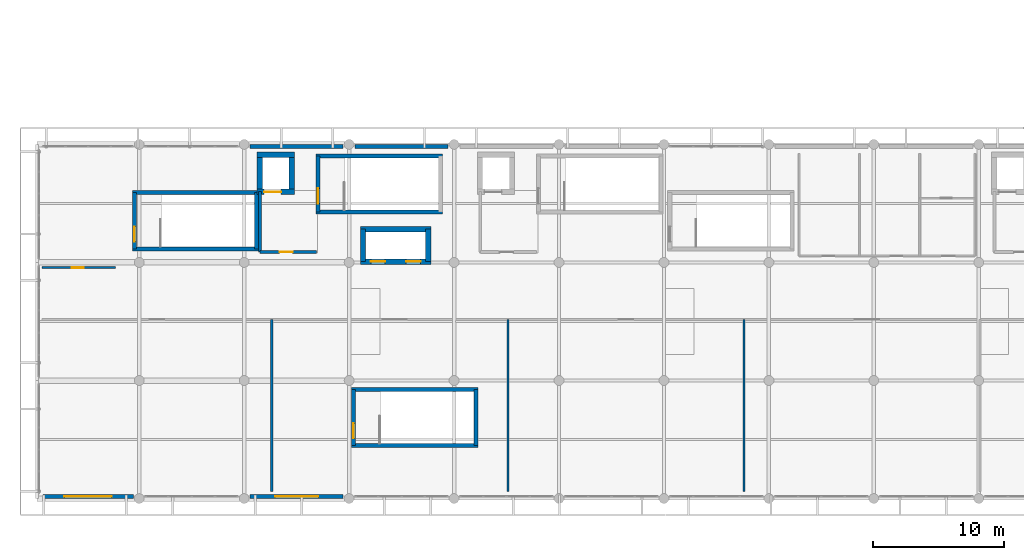
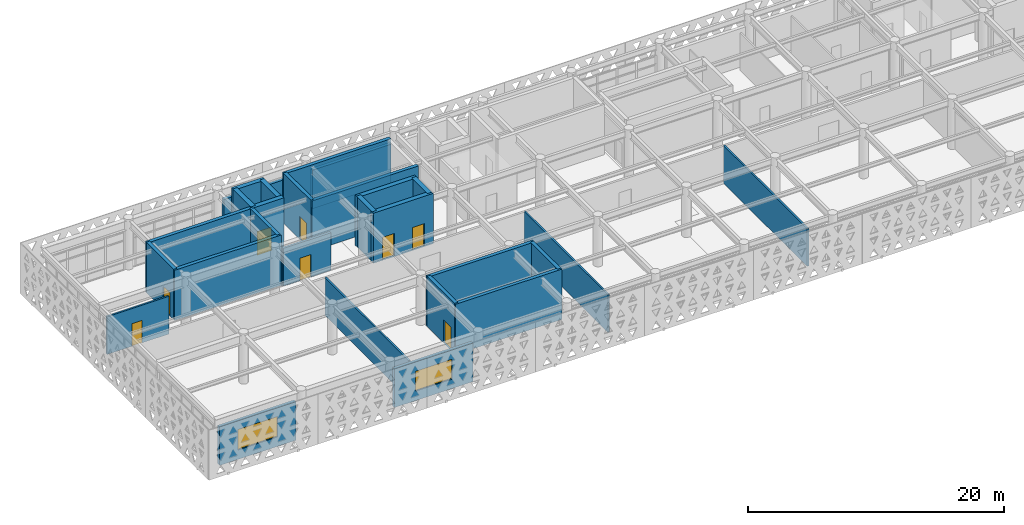
# One storey, part 18 of 26: 29 walls, 8 doors, 2 windows, 10 openings.
"""IFC4 building model written with IfcOpenShell, lengths in metres."""

from ifc_helpers import new_model, si_unit, direction, frame, frame_2d, origin, place, context, subcontext, project, spatial, rectangle, extrude, material, layer, layer_set, type_object, element, fill, save


model = new_model("IFC4")

# Units and contexts
model_context = context("Model", 3, precision=1e-05, world=origin(), true_north=direction((0.0, 1.0)))
body_context = subcontext(model_context, "Body", "Model", "MODEL_VIEW")
ifc_project = project(units=[si_unit("LENGTHUNIT", "METRE"), si_unit("AREAUNIT", "SQUARE_METRE"), si_unit("VOLUMEUNIT", "CUBIC_METRE"), si_unit("PLANEANGLEUNIT", "RADIAN"), si_unit("MASSUNIT", "GRAM", prefix="KILO")], contexts=[model_context])

# Site, building, storey
site_placement = place(None, origin())
site = spatial("IfcSite", under=ifc_project, at=site_placement, CompositionType="ELEMENT")
building_placement = place(site_placement, origin())
building = spatial("IfcBuilding", under=site, at=building_placement, Name="Tlacozan Convention Centre", CompositionType="ELEMENT")
storey_placement = place(building_placement, frame((0.0, 0.0, 21.0)))
storey = spatial("IfcBuildingStorey", under=building, at=storey_placement, Name="L04", CompositionType="ELEMENT", Elevation=21.0)

# Wall, opening, window
ifc_material_1 = material(Name="Volcanic Cantera Stone Masonry", Category="masonry")
ifc_layer_1 = layer(ifc_material_1, 0.300048828125)
ifc_layer_set_1 = layer_set([ifc_layer_1], Name="Volcanic Cantera Stone Masonry")
wall_type_1 = type_object("IfcWallType", Name="Congress Spandrel Backup Wall 300", PredefinedType="SOLIDWALL", material=ifc_layer_set_1)
wall_1_placement = place(storey_placement, frame((0.64990234375, 0.159912109375, 0.0), z_axis=(0.0, 0.0, 1.0), x_axis=(1.0, 0.0, 0.0)))
wall_1 = element("IfcWall", 1, at=wall_1_placement, inside=storey, type_object=wall_type_1, Name="L04 Congress Spandrel Backup Wall 300 138", PredefinedType="SOLIDWALL", context=body_context, shape_type="SweptSolid", body=[
    extrude(rectangle(XDim=6.900146484375, YDim=0.300048828125, at=frame_2d((3.4501953125, 0.0))), origin(), (0.0, 0.0, 1.0), 3.679931640625),
])
opening_1_placement = place(wall_1_placement, frame((1.64990234375, 0.0, 0.89990234375)))
opening_1 = element("IfcOpeningElement", 2, at=opening_1_placement, cuts=wall_1, Name="Opening WN-19", PredefinedType="OPENING", context=body_context, shape_type="SweptSolid", body=[
    extrude(rectangle(XDim=3.60009765625, YDim=1.949951171875, at=frame_2d((1.800048828125, 0.97509765625))), frame((0.0, 0.159912109375, 0.0), z_axis=(0.0, -1.0, 0.0), x_axis=(1.0, 0.0, 0.0)), (0.0, 0.0, 1.0), 0.320068359375),
])
ifc_material_2 = material(Name="Solar Control Double Low-E Argon Glazing", Category="glass")
window_type_1 = type_object("IfcWindowType", Name="Boardroom Panorama Window 3600x1950", PartitioningType="SINGLE_PANEL", PredefinedType="WINDOW", material=ifc_material_2)
window_1_placement = place(opening_1_placement, origin())
window_1 = element("IfcWindow", 3, at=window_1_placement, inside=storey, type_object=window_type_1, Name="L04 Boardroom Panorama Window 3600x1950 51", OverallHeight=1.949951171875, OverallWidth=3.60009765625, PartitioningType="SINGLE_PANEL", PredefinedType="WINDOW", context=body_context, shape_type="SweptSolid", body=[
    extrude(rectangle(XDim=3.60009765625, YDim=1.949951171875, at=frame_2d((1.800048828125, 0.97509765625))), frame((0.0, 0.030029296875, 0.0), z_axis=(0.0, -1.0, 0.0), x_axis=(1.0, 0.0, 0.0)), (0.0, 0.0, 1.0), 0.06005859375),
])
fill(opening_1, window_1)

wall_2_placement = place(storey_placement, frame((16.449951171875, 0.159912109375, 0.0), z_axis=(0.0, 0.0, 1.0), x_axis=(1.0, 0.0, 0.0)))
wall_2 = element("IfcWall", 4, at=wall_2_placement, inside=storey, type_object=wall_type_1, Name="L04 Congress Spandrel Backup Wall 300 139", PredefinedType="SOLIDWALL", context=body_context, shape_type="SweptSolid", body=[
    extrude(rectangle(XDim=7.10009765625, YDim=0.300048828125, at=frame_2d((3.550048828125, 0.0))), origin(), (0.0, 0.0, 1.0), 3.679931640625),
])
opening_2_placement = place(wall_2_placement, frame((1.89990234375, 0.0, 0.89990234375)))
opening_2 = element("IfcOpeningElement", 5, at=opening_2_placement, cuts=wall_2, Name="Opening WN-20", PredefinedType="OPENING", context=body_context, shape_type="SweptSolid", body=[
    extrude(rectangle(XDim=3.300048828125, YDim=1.89990234375, at=frame_2d((1.64990234375, 0.949951171875))), frame((0.0, 0.159912109375, 0.0), z_axis=(0.0, -1.0, 0.0), x_axis=(1.0, 0.0, 0.0)), (0.0, 0.0, 1.0), 0.320068359375),
])
window_type_2 = type_object("IfcWindowType", Name="Diplomatic Salon Window 3300x1900", PartitioningType="SINGLE_PANEL", PredefinedType="WINDOW", material=ifc_material_2)
window_2_placement = place(opening_2_placement, origin())
window_2 = element("IfcWindow", 6, at=window_2_placement, inside=storey, type_object=window_type_2, Name="L04 Diplomatic Salon Window 3300x1900 52", OverallHeight=1.89990234375, OverallWidth=3.300048828125, PartitioningType="SINGLE_PANEL", PredefinedType="WINDOW", context=body_context, shape_type="SweptSolid", body=[
    extrude(rectangle(XDim=3.300048828125, YDim=1.89990234375, at=frame_2d((1.64990234375, 0.949951171875))), frame((0.0, 0.030029296875, 0.0), z_axis=(0.0, -1.0, 0.0), x_axis=(1.0, 0.0, 0.0)), (0.0, 0.0, 1.0), 0.06005859375),
])
fill(opening_2, window_2)

# Walls
for number, where, z_axis, x_axis, name in (
    (7, (16.449951171875, 26.840087890625, 0.0), (0.0, 0.0, 1.0), (1.0, 0.0, 0.0), "L04 Congress Spandrel Backup Wall 300 140"),
    (8, (24.449951171875, 26.840087890625, 0.0), (0.0, 0.0, 1.0), (1.0, 0.0, 0.0), "L04 Congress Spandrel Backup Wall 300 141"),
):
    element("IfcWall", number, at=place(storey_placement, frame(where, z_axis=z_axis, x_axis=x_axis)), inside=storey, type_object=wall_type_1, Name=name, PredefinedType="SOLIDWALL", context=body_context, shape_type="SweptSolid", body=[
        extrude(rectangle(XDim=7.10009765625, YDim=0.300048828125, at=frame_2d((3.550048828125, 0.0))), origin(), (0.0, 0.0, 1.0), 3.679931640625),
    ])

# Wall, opening, door
ifc_material_3 = material(Name="Concrete C40/50", Category="concrete")
ifc_layer_2 = layer(ifc_material_3, 0.409912109375)
ifc_layer_set_2 = layer_set([ifc_layer_2], Name="Concrete C40/50")
wall_type_2 = type_object("IfcWallType", Name="Core Shear Wall RC 410", PredefinedType="SHEAR", material=ifc_layer_set_2)
wall_3_placement = place(storey_placement, frame((16.97509765625, 23.3798828125, 0.0), z_axis=(0.0, 0.0, 1.0), x_axis=(1.0, 0.0, 0.0)))
wall_3 = element("IfcWall", 9, at=wall_3_placement, inside=storey, type_object=wall_type_2, Name="L04 Core Shear Wall RC 410 77", PredefinedType="SHEAR", context=body_context, shape_type="SweptSolid", body=[
    extrude(rectangle(XDim=2.849853515625, YDim=0.409912109375, at=frame_2d((1.4248046875, 0.0))), origin(), (0.0, 0.0, 1.0), 4.800048828125),
])
opening_3_placement = place(wall_3_placement, frame((0.550048828125, 0.0, 0.0)))
opening_3 = element("IfcOpeningElement", 10, at=opening_3_placement, cuts=wall_3, Name="Opening LD-02", PredefinedType="OPENING", context=body_context, shape_type="SweptSolid", body=[
    extrude(rectangle(XDim=1.300048828125, YDim=2.25, at=frame_2d((0.64990234375, 1.125))), frame((0.0, 0.21484375, 0.0), z_axis=(0.0, -1.0, 0.0), x_axis=(1.0, 0.0, 0.0)), (0.0, 0.0, 1.0), 0.429931640625),
])
ifc_material_4 = material(Name="Brushed Stainless Steel Sliding Landing Door", Category="steel")
door_type_1 = type_object("IfcDoorType", Name="Firefighting Lift Sliding Door 1300x2250", OperationType="DOUBLE_DOOR_SLIDING", PredefinedType="DOOR", material=ifc_material_4)
door_1_placement = place(opening_3_placement, origin())
door_1 = element("IfcDoor", 11, at=door_1_placement, inside=storey, type_object=door_type_1, Name="L04 Firefighting Lift FL-01 Landing Door", OperationType="DOUBLE_DOOR_SLIDING", OverallHeight=2.25, OverallWidth=1.300048828125, PredefinedType="DOOR", context=body_context, shape_type="SweptSolid", body=[
    extrude(rectangle(XDim=1.300048828125, YDim=2.25, at=frame_2d((0.64990234375, 1.125))), frame((0.0, 0.02490234375, 0.0), z_axis=(0.0, -1.0, 0.0), x_axis=(1.0, 0.0, 0.0)), (0.0, 0.0, 1.0), 0.050048828125),
])
fill(opening_3, door_1)

# Walls
wall_4_placement = place(storey_placement, frame((16.97509765625, 26.219970703125, 0.0), z_axis=(0.0, 0.0, 1.0), x_axis=(1.0, 0.0, 0.0)))
element("IfcWall", 12, at=wall_4_placement, inside=storey, type_object=wall_type_2, Name="L04 Core Shear Wall RC 410 78", PredefinedType="SHEAR", context=body_context, shape_type="SweptSolid", body=[
    extrude(rectangle(XDim=2.849853515625, YDim=0.409912109375, at=frame_2d((1.4248046875, 0.0))), origin(), (0.0, 0.0, 1.0), 4.800048828125),
])
for number, where, z_axis, x_axis, name in (
    (13, (17.179931640625, 23.3798828125, 0.0), (0.0, 0.0, 1.0), (0.0, 1.0, 0.0), "L04 Core Shear Wall RC 410 79"),
    (14, (19.6201171875, 23.3798828125, 0.0), (0.0, 0.0, 1.0), (0.0, 1.0, 0.0), "L04 Core Shear Wall RC 410 80"),
):
    element("IfcWall", number, at=place(storey_placement, frame(where, z_axis=z_axis, x_axis=x_axis)), inside=storey, type_object=wall_type_2, Name=name, PredefinedType="SHEAR", context=body_context, shape_type="SweptSolid", body=[
        extrude(rectangle(XDim=2.840087890625, YDim=0.409912109375, at=frame_2d((1.419921875, 0.0))), origin(), (0.0, 0.0, 1.0), 4.800048828125),
    ])

# Wall, openings, doors
wall_5_placement = place(storey_placement, frame((24.85498046875, 18.06005859375, 0.0), z_axis=(0.0, 0.0, 1.0), x_axis=(1.0, 0.0, 0.0)))
wall_5 = element("IfcWall", 15, at=wall_5_placement, inside=storey, type_object=wall_type_2, Name="L04 Core Shear Wall RC 410 81", PredefinedType="SHEAR", context=body_context, shape_type="SweptSolid", body=[
    extrude(rectangle(XDim=5.39013671875, YDim=0.409912109375, at=frame_2d((2.695068359375, 0.0))), origin(), (0.0, 0.0, 1.0), 4.800048828125),
])
opening_4_placement = place(wall_5_placement, frame((0.794921875, 0.0, 0.0)))
opening_4 = element("IfcOpeningElement", 16, at=opening_4_placement, cuts=wall_5, Name="Opening LD-01", PredefinedType="OPENING", context=body_context, shape_type="SweptSolid", body=[
    extrude(rectangle(XDim=1.10009765625, YDim=2.199951171875, at=frame_2d((0.550048828125, 1.10009765625))), frame((0.0, 0.21484375, 0.0), z_axis=(0.0, -1.0, 0.0), x_axis=(1.0, 0.0, 0.0)), (0.0, 0.0, 1.0), 0.429931640625),
])
opening_5_placement = place(wall_5_placement, frame((3.4951171875, 0.0, 0.0)))
opening_5 = element("IfcOpeningElement", 17, at=opening_5_placement, cuts=wall_5, Name="Opening LD-01", PredefinedType="OPENING", context=body_context, shape_type="SweptSolid", body=[
    extrude(rectangle(XDim=1.10009765625, YDim=2.199951171875, at=frame_2d((0.550048828125, 1.10009765625))), frame((0.0, 0.21484375, 0.0), z_axis=(0.0, -1.0, 0.0), x_axis=(1.0, 0.0, 0.0)), (0.0, 0.0, 1.0), 0.429931640625),
])
door_type_2 = type_object("IfcDoorType", Name="Lift Sliding Landing Door 1100x2200", OperationType="DOUBLE_DOOR_SLIDING", PredefinedType="DOOR", material=ifc_material_4)
door_2_placement = place(opening_4_placement, origin())
door_2 = element("IfcDoor", 18, at=door_2_placement, inside=storey, type_object=door_type_2, Name="L04 Lift PL-01 Landing Door", OperationType="DOUBLE_DOOR_SLIDING", OverallHeight=2.199951171875, OverallWidth=1.10009765625, PredefinedType="DOOR", context=body_context, shape_type="SweptSolid", body=[
    extrude(rectangle(XDim=1.10009765625, YDim=2.199951171875, at=frame_2d((0.550048828125, 1.10009765625))), frame((0.0, 0.02490234375, 0.0), z_axis=(0.0, -1.0, 0.0), x_axis=(1.0, 0.0, 0.0)), (0.0, 0.0, 1.0), 0.050048828125),
])
fill(opening_4, door_2)
door_3_placement = place(opening_5_placement, origin())
door_3 = element("IfcDoor", 19, at=door_3_placement, inside=storey, type_object=door_type_2, Name="L04 Lift PL-02 Landing Door", OperationType="DOUBLE_DOOR_SLIDING", OverallHeight=2.199951171875, OverallWidth=1.10009765625, PredefinedType="DOOR", context=body_context, shape_type="SweptSolid", body=[
    extrude(rectangle(XDim=1.10009765625, YDim=2.199951171875, at=frame_2d((0.550048828125, 1.10009765625))), frame((0.0, 0.02490234375, 0.0), z_axis=(0.0, -1.0, 0.0), x_axis=(1.0, 0.0, 0.0)), (0.0, 0.0, 1.0), 0.050048828125),
])
fill(opening_5, door_3)

# Walls
wall_6_placement = place(storey_placement, frame((24.85498046875, 20.5400390625, 0.0), z_axis=(0.0, 0.0, 1.0), x_axis=(1.0, 0.0, 0.0)))
element("IfcWall", 20, at=wall_6_placement, inside=storey, type_object=wall_type_2, Name="L04 Core Shear Wall RC 410 82", PredefinedType="SHEAR", context=body_context, shape_type="SweptSolid", body=[
    extrude(rectangle(XDim=5.39013671875, YDim=0.409912109375, at=frame_2d((2.695068359375, 0.0))), origin(), (0.0, 0.0, 1.0), 4.800048828125),
])
for number, where, z_axis, x_axis, name in (
    (21, (25.06005859375, 18.06005859375, 0.0), (0.0, 0.0, 1.0), (0.0, 1.0, 0.0), "L04 Core Shear Wall RC 410 83"),
    (22, (30.0400390625, 18.06005859375, 0.0), (0.0, 0.0, 1.0), (0.0, 1.0, 0.0), "L04 Core Shear Wall RC 410 84"),
):
    element("IfcWall", number, at=place(storey_placement, frame(where, z_axis=z_axis, x_axis=x_axis)), inside=storey, type_object=wall_type_2, Name=name, PredefinedType="SHEAR", context=body_context, shape_type="SweptSolid", body=[
        extrude(rectangle(XDim=2.47998046875, YDim=0.409912109375, at=frame_2d((1.239990234375, 0.0))), origin(), (0.0, 0.0, 1.0), 4.800048828125),
    ])

# Wall, opening, door
ifc_material_5 = material(Name="Fire-Rated Gypsum Stud Partition Assembly")
ifc_layer_3 = layer(ifc_material_5, 0.2099609375)
ifc_layer_set_3 = layer_set([ifc_layer_3], Name="Fire-Rated Gypsum Stud Partition Assembly")
wall_type_3 = type_object("IfcWallType", Name="Firefighting Lobby Rated Wall 210", PredefinedType="PARTITIONING", material=ifc_layer_set_3)
wall_7_placement = place(storey_placement, frame((17.199951171875, 18.800048828125, 0.0), z_axis=(0.0, 0.0, 1.0), x_axis=(1.0, 0.0, 0.0)))
wall_7 = element("IfcWall", 23, at=wall_7_placement, inside=storey, type_object=wall_type_3, Name="L04 Firefighting Lobby Rated Wall 210 75", PredefinedType="PARTITIONING", context=body_context, shape_type="SweptSolid", body=[
    extrude(rectangle(XDim=4.300048828125, YDim=0.2099609375, at=frame_2d((2.14990234375, 0.0))), origin(), (0.0, 0.0, 1.0), 3.60009765625),
])
opening_6_placement = place(wall_7_placement, frame((1.5, 0.0, 0.0)))
opening_6 = element("IfcOpeningElement", 24, at=opening_6_placement, cuts=wall_7, Name="Opening FD-01", PredefinedType="OPENING", context=body_context, shape_type="SweptSolid", body=[
    extrude(rectangle(XDim=1.0, YDim=2.14990234375, at=frame_2d((0.5, 1.074951171875))), frame((0.0, 0.114990234375, 0.0), z_axis=(0.0, -1.0, 0.0), x_axis=(1.0, 0.0, 0.0)), (0.0, 0.0, 1.0), 0.22998046875),
])
ifc_material_6 = material(Name="Fire-Rated Insulated Steel Door Leaf", Category="steel")
door_type_3 = type_object("IfcDoorType", Name="Fire Door Single 1000x2150 FD90", OperationType="NOTDEFINED", PredefinedType="DOOR", material=ifc_material_6)
door_4_placement = place(opening_6_placement, origin())
door_4 = element("IfcDoor", 25, at=door_4_placement, inside=storey, type_object=door_type_3, Name="L04 CORE-1 Firefighting Lobby Entry Door", OperationType="SINGLE_SWING_RIGHT", OverallHeight=2.14990234375, OverallWidth=1.0, PredefinedType="DOOR", context=body_context, shape_type="SweptSolid", body=[
    extrude(rectangle(XDim=1.0, YDim=2.14990234375, at=frame_2d((0.5, 1.074951171875))), frame((0.0, 0.02490234375, 0.0), z_axis=(0.0, -1.0, 0.0), x_axis=(1.0, 0.0, 0.0)), (0.0, 0.0, 1.0), 0.050048828125),
])
fill(opening_6, door_4)

# Walls
wall_8_placement = place(storey_placement, frame((17.199951171875, 18.800048828125, 0.0), z_axis=(0.0, 0.0, 1.0), x_axis=(0.0, 1.0, 0.0)))
element("IfcWall", 26, at=wall_8_placement, inside=storey, type_object=wall_type_3, Name="L04 Firefighting Lobby Rated Wall 210 76", PredefinedType="PARTITIONING", context=body_context, shape_type="SweptSolid", body=[
    extrude(rectangle(XDim=4.599853515625, YDim=0.2099609375, at=frame_2d((2.2998046875, 0.0))), origin(), (0.0, 0.0, 1.0), 3.60009765625),
])
ifc_material_7 = material(Name="Acoustic Double-Stud Partition Assembly")
ifc_layer_4 = layer(ifc_material_7, 0.159912109375)
ifc_layer_set_4 = layer_set([ifc_layer_4], Name="Acoustic Double-Stud Partition Assembly")
wall_type_4 = type_object("IfcWallType", Name="Meeting Acoustic Partition 160", PredefinedType="PARTITIONING", material=ifc_layer_set_4)
for number, where, z_axis, x_axis, name in (
    (27, (18.10009765625, 0.550048828125, 0.0), (0.0, 0.0, 1.0), (0.0, 1.0, 0.0), "L04 Meeting Acoustic Partition 160 611"),
    (28, (36.10009765625, 0.550048828125, 0.0), (0.0, 0.0, 1.0), (0.0, 1.0, 0.0), "L04 Meeting Acoustic Partition 160 612"),
    (29, (54.10009765625, 0.550048828125, 0.0), (0.0, 0.0, 1.0), (0.0, 1.0, 0.0), "L04 Meeting Acoustic Partition 160 613"),
):
    element("IfcWall", number, at=place(storey_placement, frame(where, z_axis=z_axis, x_axis=x_axis)), inside=storey, type_object=wall_type_4, Name=name, PredefinedType="PARTITIONING", context=body_context, shape_type="SweptSolid", body=[
        extrude(rectangle(XDim=13.099853515625, YDim=0.159912109375, at=frame_2d((6.5498046875, 0.0))), origin(), (0.0, 0.0, 1.0), 3.60009765625),
    ])

# Wall, opening, door
wall_9_placement = place(storey_placement, frame((0.60009765625, 17.60009765625, 0.0), z_axis=(0.0, 0.0, 1.0), x_axis=(1.0, 0.0, 0.0)))
wall_9 = element("IfcWall", 30, at=wall_9_placement, inside=storey, type_object=wall_type_4, Name="L04 Meeting Acoustic Partition 160 615", PredefinedType="PARTITIONING", context=body_context, shape_type="SweptSolid", body=[
    extrude(rectangle(XDim=5.599853515625, YDim=0.159912109375, at=frame_2d((2.7998046875, 0.0))), origin(), (0.0, 0.0, 1.0), 3.60009765625),
])
opening_7_placement = place(wall_9_placement, frame((2.25, 0.0, 0.0)))
opening_7 = element("IfcOpeningElement", 31, at=opening_7_placement, cuts=wall_9, Name="Opening ID-14", PredefinedType="OPENING", context=body_context, shape_type="SweptSolid", body=[
    extrude(rectangle(XDim=0.919921875, YDim=2.14990234375, at=frame_2d((0.4599609375, 1.074951171875))), frame((0.0, 0.08984375, 0.0), z_axis=(0.0, -1.0, 0.0), x_axis=(1.0, 0.0, 0.0)), (0.0, 0.0, 1.0), 0.179931640625),
])
ifc_material_8 = material(Name="Acoustic Solid-Core Oak Veneer Door")
door_type_4 = type_object("IfcDoorType", Name="Interpretation Booth Door 920x2150", OperationType="NOTDEFINED", PredefinedType="DOOR", material=ifc_material_8)
door_5_placement = place(opening_7_placement, origin())
door_5 = element("IfcDoor", 32, at=door_5_placement, inside=storey, type_object=door_type_4, Name="L04 Interpretation Booth Door 920x2150 209", OperationType="SINGLE_SWING_RIGHT", OverallHeight=2.14990234375, OverallWidth=0.919921875, PredefinedType="DOOR", context=body_context, shape_type="SweptSolid", body=[
    extrude(rectangle(XDim=0.919921875, YDim=2.14990234375, at=frame_2d((0.4599609375, 1.074951171875))), frame((0.0, 0.02490234375, 0.0), z_axis=(0.0, -1.0, 0.0), x_axis=(1.0, 0.0, 0.0)), (0.0, 0.0, 1.0), 0.050048828125),
])
fill(opening_7, door_5)

# Walls
ifc_layer_5 = layer(ifc_material_3, 0.31005859375)
ifc_layer_set_5 = layer_set([ifc_layer_5], Name="Concrete C40/50")
wall_type_5 = type_object("IfcWallType", Name="Stair Shaft Shear Wall RC 310", PredefinedType="SHEAR", material=ifc_layer_set_5)
for number, where, z_axis, x_axis, name in (
    (33, (21.485107421875, 21.840087890625, 0.0), (0.0, 0.0, 1.0), (1.0, 0.0, 0.0), "L04 Stair Shaft Shear Wall RC 310 71"),
    (34, (21.485107421875, 26.1201171875, 0.0), (0.0, 0.0, 1.0), (1.0, 0.0, 0.0), "L04 Stair Shaft Shear Wall RC 310 72"),
):
    element("IfcWall", number, at=place(storey_placement, frame(where, z_axis=z_axis, x_axis=x_axis)), inside=storey, type_object=wall_type_5, Name=name, PredefinedType="SHEAR", context=body_context, shape_type="SweptSolid", body=[
        extrude(rectangle(XDim=9.6298828125, YDim=0.31005859375, at=frame_2d((4.81494140625, 0.0))), origin(), (0.0, 0.0, 1.0), 4.800048828125),
    ])

# Wall, opening, door
wall_10_placement = place(storey_placement, frame((21.639892578125, 21.840087890625, 0.0), z_axis=(0.0, 0.0, 1.0), x_axis=(0.0, 1.0, 0.0)))
wall_10 = element("IfcWall", 35, at=wall_10_placement, inside=storey, type_object=wall_type_5, Name="L04 Stair Shaft Shear Wall RC 310 73", PredefinedType="SHEAR", context=body_context, shape_type="SweptSolid", body=[
    extrude(rectangle(XDim=4.280029296875, YDim=0.31005859375, at=frame_2d((2.14013671875, 0.0))), origin(), (0.0, 0.0, 1.0), 4.800048828125),
])
opening_8_placement = place(wall_10_placement, frame((0.64990234375, 0.0, 0.0)))
opening_8 = element("IfcOpeningElement", 36, at=opening_8_placement, cuts=wall_10, Name="Opening FD-02", PredefinedType="OPENING", context=body_context, shape_type="SweptSolid", body=[
    extrude(rectangle(XDim=1.14990234375, YDim=2.199951171875, at=frame_2d((0.574951171875, 1.10009765625))), frame((0.0, 0.1650390625, 0.0), z_axis=(0.0, -1.0, 0.0), x_axis=(1.0, 0.0, 0.0)), (0.0, 0.0, 1.0), 0.330078125),
])
door_type_5 = type_object("IfcDoorType", Name="Fire Door Stair 1150x2200 FD90", OperationType="NOTDEFINED", PredefinedType="DOOR", material=ifc_material_6)
door_6_placement = place(opening_8_placement, origin())
door_6 = element("IfcDoor", 37, at=door_6_placement, inside=storey, type_object=door_type_5, Name="L04 Stair ST-01 Fire Door", OperationType="SINGLE_SWING_LEFT", OverallHeight=2.199951171875, OverallWidth=1.14990234375, PredefinedType="DOOR", context=body_context, shape_type="SweptSolid", body=[
    extrude(rectangle(XDim=1.14990234375, YDim=2.199951171875, at=frame_2d((0.574951171875, 1.10009765625))), frame((0.0, 0.02490234375, 0.0), z_axis=(0.0, -1.0, 0.0), x_axis=(1.0, 0.0, 0.0)), (0.0, 0.0, 1.0), 0.050048828125),
])
fill(opening_8, door_6)

# Walls
for number, where, z_axis, x_axis, name in (
    (38, (7.485107421875, 19.0400390625, 0.0), (0.0, 0.0, 1.0), (1.0, 0.0, 0.0), "L04 Stair Shaft Shear Wall RC 310 305"),
    (39, (7.485107421875, 23.320068359375, 0.0), (0.0, 0.0, 1.0), (1.0, 0.0, 0.0), "L04 Stair Shaft Shear Wall RC 310 306"),
):
    element("IfcWall", number, at=place(storey_placement, frame(where, z_axis=z_axis, x_axis=x_axis)), inside=storey, type_object=wall_type_5, Name=name, PredefinedType="SHEAR", context=body_context, shape_type="SweptSolid", body=[
        extrude(rectangle(XDim=9.6298828125, YDim=0.31005859375, at=frame_2d((4.81494140625, 0.0))), origin(), (0.0, 0.0, 1.0), 4.800048828125),
    ])

# Wall, opening, door
wall_11_placement = place(storey_placement, frame((7.639892578125, 19.0400390625, 0.0), z_axis=(0.0, 0.0, 1.0), x_axis=(0.0, 1.0, 0.0)))
wall_11 = element("IfcWall", 40, at=wall_11_placement, inside=storey, type_object=wall_type_5, Name="L04 Stair Shaft Shear Wall RC 310 307", PredefinedType="SHEAR", context=body_context, shape_type="SweptSolid", body=[
    extrude(rectangle(XDim=4.280029296875, YDim=0.31005859375, at=frame_2d((2.14013671875, 0.0))), origin(), (0.0, 0.0, 1.0), 4.800048828125),
])
opening_9_placement = place(wall_11_placement, frame((0.550048828125, 0.0, 0.0)))
opening_9 = element("IfcOpeningElement", 41, at=opening_9_placement, cuts=wall_11, Name="Opening FD-02", PredefinedType="OPENING", context=body_context, shape_type="SweptSolid", body=[
    extrude(rectangle(XDim=1.14990234375, YDim=2.199951171875, at=frame_2d((0.574951171875, 1.10009765625))), frame((0.0, 0.1650390625, 0.0), z_axis=(0.0, -1.0, 0.0), x_axis=(1.0, 0.0, 0.0)), (0.0, 0.0, 1.0), 0.330078125),
])
door_7_placement = place(opening_9_placement, origin())
door_7 = element("IfcDoor", 42, at=door_7_placement, inside=storey, type_object=door_type_5, Name="L04 Stair ST-13 Access Door", OperationType="SINGLE_SWING_LEFT", OverallHeight=2.199951171875, OverallWidth=1.14990234375, PredefinedType="DOOR", context=body_context, shape_type="SweptSolid", body=[
    extrude(rectangle(XDim=1.14990234375, YDim=2.199951171875, at=frame_2d((0.574951171875, 1.10009765625))), frame((0.0, 0.02490234375, 0.0), z_axis=(0.0, -1.0, 0.0), x_axis=(1.0, 0.0, 0.0)), (0.0, 0.0, 1.0), 0.050048828125),
])
fill(opening_9, door_7)

# Walls
wall_12_placement = place(storey_placement, frame((16.9599609375, 19.0400390625, 0.0), z_axis=(0.0, 0.0, 1.0), x_axis=(0.0, 1.0, 0.0)))
element("IfcWall", 43, at=wall_12_placement, inside=storey, type_object=wall_type_5, Name="L04 Stair Shaft Shear Wall RC 310 308", PredefinedType="SHEAR", context=body_context, shape_type="SweptSolid", body=[
    extrude(rectangle(XDim=4.280029296875, YDim=0.31005859375, at=frame_2d((2.14013671875, 0.0))), origin(), (0.0, 0.0, 1.0), 4.800048828125),
])
for number, where, z_axis, x_axis, name in (
    (44, (24.18505859375, 4.0400390625, 0.0), (0.0, 0.0, 1.0), (1.0, 0.0, 0.0), "L04 Stair Shaft Shear Wall RC 310 373"),
    (45, (24.18505859375, 8.320068359375, 0.0), (0.0, 0.0, 1.0), (1.0, 0.0, 0.0), "L04 Stair Shaft Shear Wall RC 310 374"),
):
    element("IfcWall", number, at=place(storey_placement, frame(where, z_axis=z_axis, x_axis=x_axis)), inside=storey, type_object=wall_type_5, Name=name, PredefinedType="SHEAR", context=body_context, shape_type="SweptSolid", body=[
        extrude(rectangle(XDim=9.6298828125, YDim=0.31005859375, at=frame_2d((4.81494140625, 0.0))), origin(), (0.0, 0.0, 1.0), 4.800048828125),
    ])

# Wall, opening, door
wall_13_placement = place(storey_placement, frame((24.340087890625, 4.0400390625, 0.0), z_axis=(0.0, 0.0, 1.0), x_axis=(0.0, 1.0, 0.0)))
wall_13 = element("IfcWall", 46, at=wall_13_placement, inside=storey, type_object=wall_type_5, Name="L04 Stair Shaft Shear Wall RC 310 375", PredefinedType="SHEAR", context=body_context, shape_type="SweptSolid", body=[
    extrude(rectangle(XDim=4.280029296875, YDim=0.31005859375, at=frame_2d((2.14013671875, 0.0))), origin(), (0.0, 0.0, 1.0), 4.800048828125),
])
opening_10_placement = place(wall_13_placement, frame((0.550048828125, 0.0, 0.0)))
opening_10 = element("IfcOpeningElement", 47, at=opening_10_placement, cuts=wall_13, Name="Opening FD-02", PredefinedType="OPENING", context=body_context, shape_type="SweptSolid", body=[
    extrude(rectangle(XDim=1.14990234375, YDim=2.199951171875, at=frame_2d((0.574951171875, 1.10009765625))), frame((0.0, 0.1650390625, 0.0), z_axis=(0.0, -1.0, 0.0), x_axis=(1.0, 0.0, 0.0)), (0.0, 0.0, 1.0), 0.330078125),
])
door_8_placement = place(opening_10_placement, origin())
door_8 = element("IfcDoor", 48, at=door_8_placement, inside=storey, type_object=door_type_5, Name="L04 Stair ST-16 Access Door", OperationType="SINGLE_SWING_RIGHT", OverallHeight=2.199951171875, OverallWidth=1.14990234375, PredefinedType="DOOR", context=body_context, shape_type="SweptSolid", body=[
    extrude(rectangle(XDim=1.14990234375, YDim=2.199951171875, at=frame_2d((0.574951171875, 1.10009765625))), frame((0.0, 0.02490234375, 0.0), z_axis=(0.0, -1.0, 0.0), x_axis=(1.0, 0.0, 0.0)), (0.0, 0.0, 1.0), 0.050048828125),
])
fill(opening_10, door_8)

# Wall
wall_14_placement = place(storey_placement, frame((33.659912109375, 4.0400390625, 0.0), z_axis=(0.0, 0.0, 1.0), x_axis=(0.0, 1.0, 0.0)))
element("IfcWall", 49, at=wall_14_placement, inside=storey, type_object=wall_type_5, Name="L04 Stair Shaft Shear Wall RC 310 376", PredefinedType="SHEAR", context=body_context, shape_type="SweptSolid", body=[
    extrude(rectangle(XDim=4.280029296875, YDim=0.31005859375, at=frame_2d((2.14013671875, 0.0))), origin(), (0.0, 0.0, 1.0), 4.800048828125),
])

save(model, "model.ifc")
